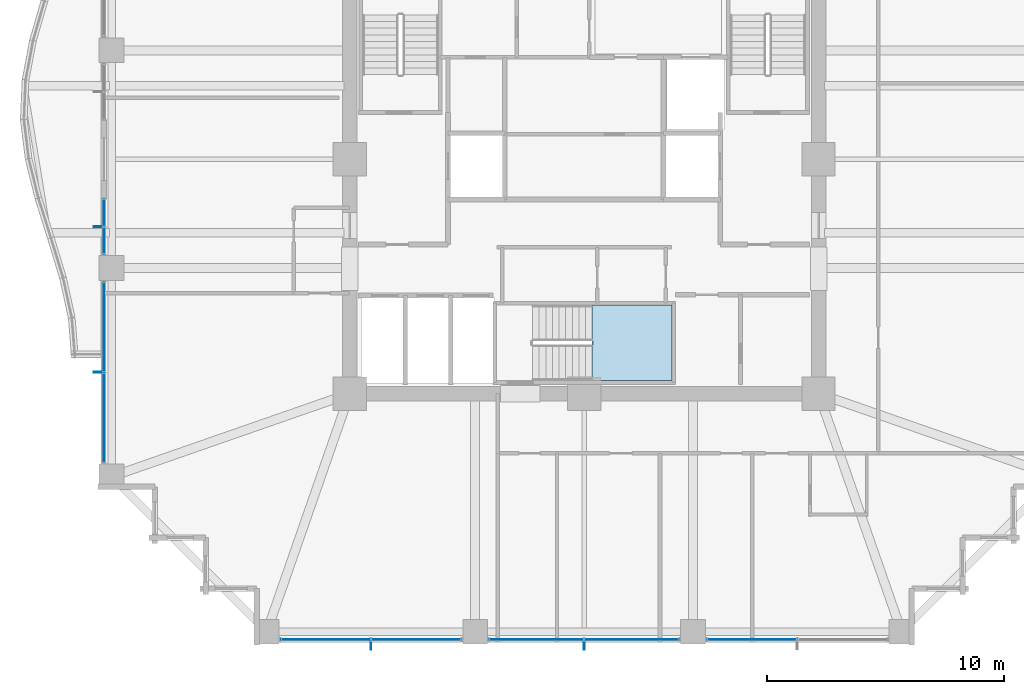
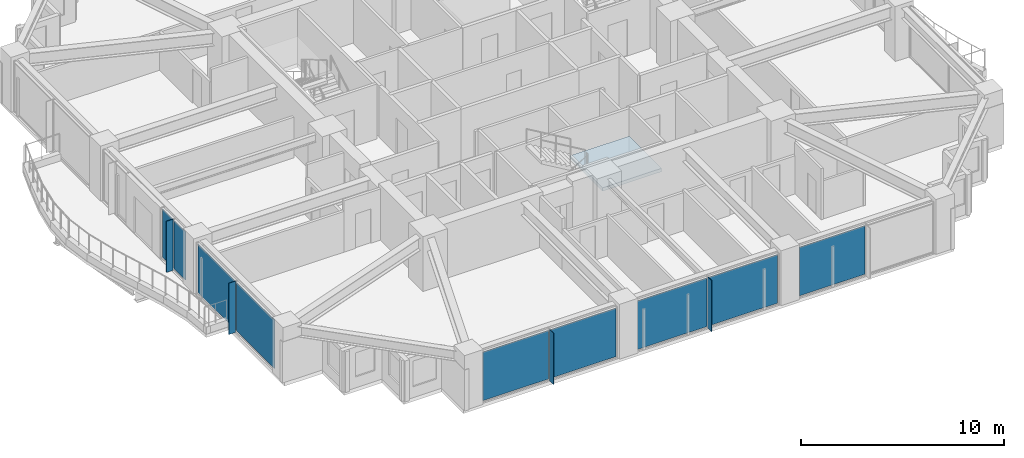
# One storey, part 25 of 36: 13 plates, 1 slab, 6 elements without a shape of their own.
"""IFC4 building model written with IfcOpenShell, lengths in metres."""

from ifc_helpers import new_model, si_unit, direction, frame, origin, origin_2d, place, context, subcontext, project, spatial, polyline, rectangle, outline, extrude, material, layer, layer_set, type_object, element, aggregate, save


model = new_model("IFC4")

# Units and contexts
model_context = context("Model", 3, precision=1e-05, world=origin(), true_north=direction((0.0, 1.0)))
body_context = subcontext(model_context, "Body", "Model", "MODEL_VIEW")
ifc_project = project(units=[si_unit("LENGTHUNIT", "METRE"), si_unit("AREAUNIT", "SQUARE_METRE"), si_unit("VOLUMEUNIT", "CUBIC_METRE"), si_unit("PLANEANGLEUNIT", "RADIAN"), si_unit("MASSUNIT", "GRAM", prefix="KILO")], contexts=[model_context])

# Site, building, storey
site_placement = place(None, origin())
site = spatial("IfcSite", under=ifc_project, at=site_placement, CompositionType="ELEMENT")
building_placement = place(site_placement, origin())
building = spatial("IfcBuilding", under=site, at=building_placement, Name="Kolvaren Belvedere", CompositionType="ELEMENT")
storey_placement = place(building_placement, frame((0.0, 0.0, 88.699951171875)))
storey = spatial("IfcBuildingStorey", under=building, at=storey_placement, Name="L25", CompositionType="ELEMENT", Elevation=88.699951171875)

# Curtain wall, plate
ifc_material_1 = material(Name="Anodised pale-metal aluminium AA 6063-T6", Category="aluminium")
curtain_wall_type = type_object("IfcCurtainWallType", Name="CW-Z2-MID", PredefinedType="NOTDEFINED", material=ifc_material_1)
curtain_wall_1_placement = place(storey_placement, origin())
curtain_wall_1 = element("IfcCurtainWall", 1, at=curtain_wall_1_placement, inside=storey, type_object=curtain_wall_type, Name="L25 Unitised Curtain Wall FCW-L25-S-B1", PredefinedType="NOTDEFINED")
ifc_material_2 = material(Name="Low-iron triple insulated glass", Category="glass")
ifc_layer_1 = layer(ifc_material_2, 0.028076171875)
ifc_layer_set_1 = layer_set([ifc_layer_1], Name="Low-iron triple insulated glass")
plate_type_1 = type_object("IfcPlateType", Name="CW-PNL-VIS28", PredefinedType="CURTAIN_PANEL", material=ifc_layer_set_1)
plate_1_placement = place(storey_placement, frame((7.0888671875, -20.280029296875, 0.080078125), z_axis=(0.0, 0.0, 1.0), x_axis=(-1.0, 0.0, 0.0)))
plate_1 = element("IfcPlate", 2, at=plate_1_placement, type_object=plate_type_1, Name="FCW-L25-S-B1 Vision Glazing Panel 2", PredefinedType="CURTAIN_PANEL", context=body_context, shape_type="SweptSolid", body=[
    extrude(rectangle(XDim=3.742431640625, YDim=0.028076171875, at=origin_2d()), origin(), (0.0, 0.0, 1.0), 2.919921875),
])
aggregate(curtain_wall_1, [plate_1])

# Curtain wall, plates
curtain_wall_2_placement = place(storey_placement, origin())
curtain_wall_2 = element("IfcCurtainWall", 3, at=curtain_wall_2_placement, inside=storey, type_object=curtain_wall_type, Name="L25 Unitised Curtain Wall FCW-L25-S-B2", PredefinedType="NOTDEFINED")
plate_2_placement = place(storey_placement, frame((2.01123046875, -20.280029296875, 0.080078125), z_axis=(0.0, 0.0, 1.0), x_axis=(-1.0, 0.0, 0.0)))
plate_2 = element("IfcPlate", 4, at=plate_2_placement, type_object=plate_type_1, Name="FCW-L25-S-B2 Vision Glazing Panel 1", PredefinedType="CURTAIN_PANEL", context=body_context, shape_type="SweptSolid", body=[
    extrude(rectangle(XDim=3.9423828125, YDim=0.028076171875, at=origin_2d()), origin(), (0.0, 0.0, 1.0), 2.919921875),
])
plate_3_placement = place(storey_placement, frame((-2.01123046875, -20.280029296875, 0.080078125), z_axis=(0.0, 0.0, 1.0), x_axis=(-1.0, 0.0, 0.0)))
plate_3 = element("IfcPlate", 5, at=plate_3_placement, type_object=plate_type_1, Name="FCW-L25-S-B2 Vision Glazing Panel 2", PredefinedType="CURTAIN_PANEL", context=body_context, shape_type="SweptSolid", body=[
    extrude(rectangle(XDim=3.9423828125, YDim=0.028076171875, at=origin_2d()), origin(), (0.0, 0.0, 1.0), 2.919921875),
])
aggregate(curtain_wall_2, [plate_2, plate_3])

curtain_wall_3_placement = place(storey_placement, origin())
curtain_wall_3 = element("IfcCurtainWall", 6, at=curtain_wall_3_placement, inside=storey, type_object=curtain_wall_type, Name="L25 Unitised Curtain Wall FCW-L25-S-B3", PredefinedType="NOTDEFINED")
plate_4_placement = place(storey_placement, frame((-7.0888671875, -20.280029296875, 0.080078125), z_axis=(0.0, 0.0, 1.0), x_axis=(-1.0, 0.0, 0.0)))
plate_4 = element("IfcPlate", 7, at=plate_4_placement, type_object=plate_type_1, Name="FCW-L25-S-B3 Vision Glazing Panel 1", PredefinedType="CURTAIN_PANEL", context=body_context, shape_type="SweptSolid", body=[
    extrude(rectangle(XDim=3.742431640625, YDim=0.028076171875, at=origin_2d()), origin(), (0.0, 0.0, 1.0), 2.919921875),
])
plate_5_placement = place(storey_placement, frame((-10.9111328125, -20.280029296875, 0.080078125), z_axis=(0.0, 0.0, 1.0), x_axis=(-1.0, 0.0, 0.0)))
plate_5 = element("IfcPlate", 8, at=plate_5_placement, type_object=plate_type_1, Name="FCW-L25-S-B3 Vision Glazing Panel 2", PredefinedType="CURTAIN_PANEL", context=body_context, shape_type="SweptSolid", body=[
    extrude(rectangle(XDim=3.742431640625, YDim=0.028076171875, at=origin_2d()), origin(), (0.0, 0.0, 1.0), 2.919921875),
])
aggregate(curtain_wall_3, [plate_4, plate_5])

curtain_wall_4_placement = place(storey_placement, origin())
curtain_wall_4 = element("IfcCurtainWall", 9, at=curtain_wall_4_placement, inside=storey, type_object=curtain_wall_type, Name="L25 Unitised Curtain Wall FCW-L25-W1-B1", PredefinedType="NOTDEFINED")
plate_6_placement = place(storey_placement, frame((-20.280029296875, -10.9111328125, 0.080078125), z_axis=(0.0, 0.0, 1.0), x_axis=(0.0, 1.0, 0.0)))
plate_6 = element("IfcPlate", 10, at=plate_6_placement, type_object=plate_type_1, Name="FCW-L25-W1-B1 Vision Glazing Panel 1", PredefinedType="CURTAIN_PANEL", context=body_context, shape_type="SweptSolid", body=[
    extrude(rectangle(XDim=3.742431640625, YDim=0.028076171875, at=origin_2d()), origin(), (0.0, 0.0, 1.0), 2.919921875),
])
plate_7_placement = place(storey_placement, frame((-20.280029296875, -7.0888671875, 0.080078125), z_axis=(0.0, 0.0, 1.0), x_axis=(0.0, 1.0, 0.0)))
plate_7 = element("IfcPlate", 11, at=plate_7_placement, type_object=plate_type_1, Name="FCW-L25-W1-B1 Vision Glazing Panel 2", PredefinedType="CURTAIN_PANEL", context=body_context, shape_type="SweptSolid", body=[
    extrude(rectangle(XDim=3.742431640625, YDim=0.028076171875, at=origin_2d()), origin(), (0.0, 0.0, 1.0), 2.919921875),
])
aggregate(curtain_wall_4, [plate_6, plate_7])

curtain_wall_5_placement = place(storey_placement, origin())
curtain_wall_5 = element("IfcCurtainWall", 12, at=curtain_wall_5_placement, inside=storey, type_object=curtain_wall_type, Name="L25 Unitised Curtain Wall FCW-L25-W1-B2", PredefinedType="NOTDEFINED")
plate_8_placement = place(storey_placement, frame((-20.280029296875, -3.43701171875, 0.080078125), z_axis=(0.0, 0.0, 1.0), x_axis=(0.0, 1.0, 0.0)))
plate_8 = element("IfcPlate", 13, at=plate_8_placement, type_object=plate_type_1, Name="FCW-L25-W1-B2 Vision Glazing Panel 1", PredefinedType="CURTAIN_PANEL", context=body_context, shape_type="SweptSolid", body=[
    extrude(rectangle(XDim=1.09130859375, YDim=0.028076171875, at=origin_2d()), origin(), (0.0, 0.0, 1.0), 2.919921875),
])
plate_9_placement = place(storey_placement, frame((-20.280029296875, -2.265625, 0.080078125), z_axis=(0.0, 0.0, 1.0), x_axis=(0.0, 1.0, 0.0)))
plate_9 = element("IfcPlate", 14, at=plate_9_placement, type_object=plate_type_1, Name="FCW-L25-W1-B2 Vision Glazing Panel 2", PredefinedType="CURTAIN_PANEL", context=body_context, shape_type="SweptSolid", body=[
    extrude(rectangle(XDim=1.09130859375, YDim=0.028076171875, at=origin_2d()), origin(), (0.0, 0.0, 1.0), 2.919921875),
])
aggregate(curtain_wall_5, [plate_8, plate_9])

# Plates
ifc_material_3 = material(Name="Anodised pale-metal aluminium AA 6063-T6", Category="aluminium")
ifc_layer_2 = layer(ifc_material_3, 0.033935546875)
ifc_layer_set_2 = layer_set([ifc_layer_2], Name="Anodised pale-metal aluminium AA 6063-T6")
plate_type_2 = type_object("IfcPlateType", Name="FIN-VERT-380", PredefinedType="USERDEFINED", material=ifc_layer_set_2)
for number, where, z_axis, x_axis, name in (
    (15, (0.0, -20.52490234375, 0.0), (0.0, 0.0, 1.0), (0.0, 1.0, 0.0), "L25 Pale-Metal Vertical Shading Fin FCW-L25-S-B2-1"),
    (16, (-9.0, -20.52490234375, 0.0), (0.0, 0.0, 1.0), (0.0, 1.0, 0.0), "L25 Pale-Metal Vertical Shading Fin FCW-L25-S-B3-1"),
    (17, (-20.52490234375, -9.0, 0.0), (0.0, 0.0, 1.0), (1.0, 0.0, 0.0), "L25 Pale-Metal Vertical Shading Fin FCW-L25-W1-B1-1"),
    (18, (-20.52490234375, -2.851318359375, 0.0), (0.0, 0.0, 1.0), (1.0, 0.0, 0.0), "L25 Pale-Metal Vertical Shading Fin FCW-L25-W1-B2-1"),
):
    element("IfcPlate", number, at=place(storey_placement, frame(where, z_axis=z_axis, x_axis=x_axis)), inside=storey, type_object=plate_type_2, Name=name, ObjectType="VERTICAL FIN", PredefinedType="USERDEFINED", context=body_context, shape_type="SweptSolid", body=[
        extrude(rectangle(XDim=0.3798828125, YDim=0.033935546875, at=origin_2d()), origin(), (0.0, 0.0, 1.0), 3.080078125),
    ])

# Stair, slab
ifc_material_4 = material(Name="Concrete C50/60", Category="concrete")
stair_type = type_object("IfcStairType", Name="ST-CORE-1520", PredefinedType="HALF_TURN_STAIR", material=ifc_material_4)
stair_placement = place(storey_placement, origin())
stair = element("IfcStair", 19, at=stair_placement, inside=storey, type_object=stair_type, Name="L25 Protected Exit Stair ST-3", PredefinedType="HALF_TURN_STAIR")
ifc_material_5 = material(Name="Concrete C50/60", Category="concrete")
ifc_layer_3 = layer(ifc_material_5, 0.260009765625)
ifc_layer_set_3 = layer_set([ifc_layer_3], Name="Concrete C50/60")
slab_type = type_object("IfcSlabType", Name="SL-LAND-260", PredefinedType="LANDING", material=ifc_layer_set_3)
slab_placement = place(storey_placement, frame((0.0, 0.0, 1.449951171875)))
slab = element("IfcSlab", 20, at=slab_placement, type_object=slab_type, Name="ST-3 landing 1", PredefinedType="LANDING", context=body_context, shape_type="SweptSolid", body=[
    extrude(outline(polyline([(0.340087890625, -9.35009765625), (3.699951171875, -9.35009765625), (3.699951171875, -6.159912109375), (0.340087890625, -6.159912109375), (0.340087890625, -9.35009765625)])), origin(), (0.0, 0.0, 1.0), 0.2001953125),
])
aggregate(stair, [slab])

save(model, "model.ifc")
